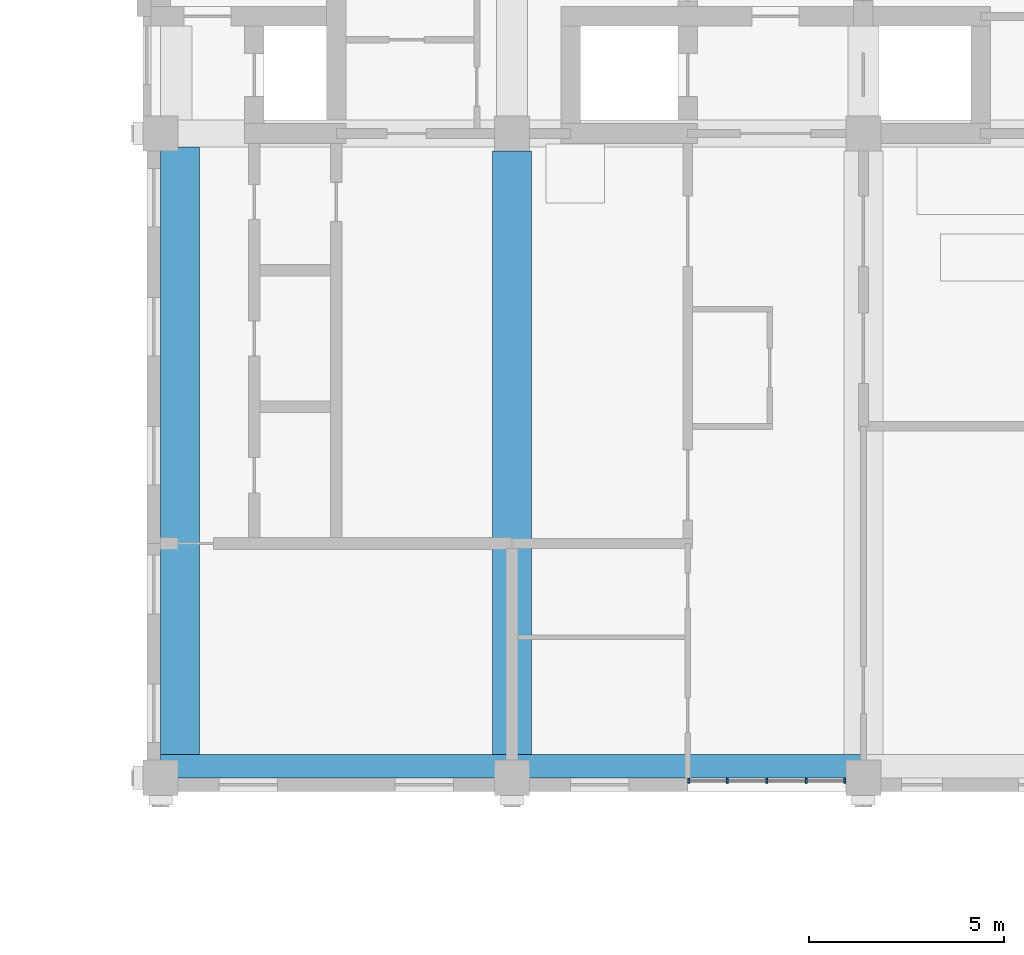
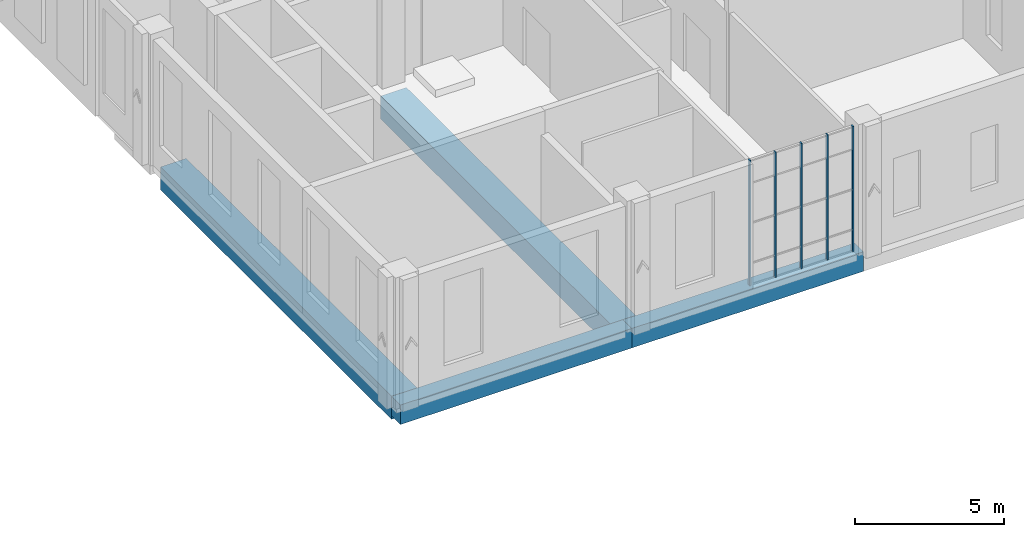
# One storey, part 4 of 39: 5 members, 4 beams, 1 element without a shape of its own.
"""IFC4 building model written with IfcOpenShell, lengths in metres."""

import ifcopenshell
import ifcopenshell.guid

model = None  # the IFC model being written
_history = None  # IfcOwnerHistory: only IFC2X3 demands one
_inside = {}  # id of a spatial element -> (the spatial element, [elements in it])
_under = {}  # id of a project, library or spatial element -> (it, [spatial elements below it])
_declared = {}  # id of a project -> (the project, [libraries it declares])
_typed = {}  # id of a type object -> (the type object, [elements of that type])
_made_of = {}  # id of a material, layer set ... -> (it, [elements and type objects made of it])


def new_model(schema):
    """Start an empty IFC model of exactly this schema.

    Asked for "IFC4X3", IfcOpenShell would pick the latest addendum, in which some entities
    have other attributes; the version numbers below select the first issue.
    IFC2X3 requires an IfcOwnerHistory on every rooted entity: one is made here for all.
    """
    global model, _history
    if schema == "IFC4X3":
        model = ifcopenshell.file(schema_version=(4, 3, 0, 0))
    else:
        model = ifcopenshell.file(schema=schema)
    _inside.clear()
    _under.clear()
    _declared.clear()
    _typed.clear()
    _made_of.clear()
    _history = None
    if model.schema == "IFC2X3":
        org = make("IfcOrganization", Name="unknown")
        user = make(
            "IfcPersonAndOrganization",
            ThePerson=make("IfcPerson", FamilyName="unknown"),
            TheOrganization=org,
        )
        app = make(
            "IfcApplication",
            ApplicationDeveloper=org,
            Version="unknown",
            ApplicationFullName="unknown",
            ApplicationIdentifier="unknown",
        )
        _history = make(
            "IfcOwnerHistory",
            OwningUser=user,
            OwningApplication=app,
            ChangeAction="ADDED",
            CreationDate=0,
        )
    return model


def make(cls, **values):
    """One entity of the class cls with the attributes given. An attribute that is None is left unset."""
    return model.create_entity(
        cls, **{name: value for name, value in values.items() if value is not None}
    )


def rooted(cls, **values):
    """An entity with a GlobalId (a new one), such as an element, a storey or a relation."""
    return make(cls, GlobalId=ifcopenshell.guid.new(), OwnerHistory=_history, **values)


def si_unit(unit_type, name, prefix=None):
    """IfcSIUnit, for example si_unit("LENGTHUNIT", "METRE", prefix="MILLI")."""
    return make("IfcSIUnit", UnitType=unit_type, Prefix=prefix, Name=name)


def assignment(units):
    """IfcUnitAssignment: the units of a project."""
    return None if units is None else make("IfcUnitAssignment", Units=units)


def point(xyz):
    """IfcCartesianPoint."""
    return None if xyz is None else make("IfcCartesianPoint", Coordinates=xyz)


def direction(xyz):
    """IfcDirection."""
    return None if xyz is None else make("IfcDirection", DirectionRatios=xyz)


def frame(location, z_axis=None, x_axis=None):
    """IfcAxis2Placement3D, a coordinate frame: its origin and axes. An axis left out is left unset."""
    return make(
        "IfcAxis2Placement3D",
        Location=point(location),
        Axis=direction(z_axis),
        RefDirection=direction(x_axis),
    )


def frame_2d(location, x_axis=None):
    """IfcAxis2Placement2D, a coordinate frame in the plane: its origin and x axis."""
    return make(
        "IfcAxis2Placement2D", Location=point(location), RefDirection=direction(x_axis)
    )


def origin():
    """The frame at (0, 0, 0) with its axes left unset."""
    return frame((0.0, 0.0, 0.0))


def origin_2d():
    """The frame at (0, 0) in the plane with its x axis left unset."""
    return frame_2d((0.0, 0.0))


def place(relative_to, where):
    """IfcLocalPlacement: puts the frame where relative to a parent placement (None: the world)."""
    return make(
        "IfcLocalPlacement", PlacementRelTo=relative_to, RelativePlacement=where
    )


def context(
    kind, dimensions, precision=None, world=None, true_north=None, identifier=None
):
    """IfcGeometricRepresentationContext, for example the 3D "Model" context."""
    return make(
        "IfcGeometricRepresentationContext",
        ContextIdentifier=identifier,
        ContextType=kind,
        CoordinateSpaceDimension=dimensions,
        Precision=precision,
        WorldCoordinateSystem=world,
        TrueNorth=true_north,
    )


def subcontext(parent, identifier, kind, view, scale=None):
    """IfcGeometricRepresentationSubContext, for example "Body" below "Model"."""
    return make(
        "IfcGeometricRepresentationSubContext",
        ContextIdentifier=identifier,
        ContextType=kind,
        ParentContext=parent,
        TargetScale=scale,
        TargetView=view,
    )


def project(units=None, contexts=None):
    """IfcProject with its units and contexts."""
    return rooted(
        "IfcProject",
        Name="project",
        RepresentationContexts=contexts,
        UnitsInContext=assignment(units),
    )


def spatial(cls, under=None, at=None, **own):
    """A site, building, storey or space (cls), placed at a placement, below another one or the project."""
    s = rooted(cls, ObjectPlacement=at, **own)
    if under is not None:
        _under.setdefault(under.id(), (under, []))[1].append(s)
    return s


def profile(cls, at=None, kind="AREA", **sizes):
    """A parametric profile (cls). Its sizes go by their IFC names, for example OverallWidth=200.0."""
    return make(cls, ProfileType=kind, Position=at, **sizes)


def rectangle(**sizes):
    """IfcRectangleProfileDef."""
    return profile("IfcRectangleProfileDef", **sizes)


def extrude(swept, where, along, depth):
    """IfcExtrudedAreaSolid: the profile swept, set in the frame where, extruded along a direction by depth."""
    return make(
        "IfcExtrudedAreaSolid",
        SweptArea=swept,
        Position=where,
        ExtrudedDirection=direction(along),
        Depth=depth,
    )


def shape(context_of_items, identifier, shape_type, items):
    """IfcShapeRepresentation: the items that make up one representation, for example the "Body"."""
    return make(
        "IfcShapeRepresentation",
        ContextOfItems=context_of_items,
        RepresentationIdentifier=identifier,
        RepresentationType=shape_type,
        Items=items,
    )


def material(Name=None, Category=None):
    """IfcMaterial."""
    return make("IfcMaterial", Name=Name, Category=Category)


def layer(
    of_material, thickness, ventilated=None, Name=None, Category=None, Priority=None
):
    """IfcMaterialLayer: one layer of a wall or slab, of a material (None: an air gap)."""
    return make(
        "IfcMaterialLayer",
        Material=of_material,
        LayerThickness=thickness,
        IsVentilated=ventilated,
        Name=Name,
        Category=Category,
        Priority=Priority,
    )


def layer_set(layers, Name=None):
    """IfcMaterialLayerSet."""
    return make("IfcMaterialLayerSet", MaterialLayers=layers, LayerSetName=Name)


def material_profile(
    of_material, cross_section, Name=None, Category=None, Priority=None
):
    """IfcMaterialProfile: a cross section and its material."""
    return make(
        "IfcMaterialProfile",
        Name=Name,
        Material=of_material,
        Profile=cross_section,
        Priority=Priority,
        Category=Category,
    )


def profile_set(profiles, Name=None, composite=None):
    """IfcMaterialProfileSet."""
    return make(
        "IfcMaterialProfileSet",
        Name=Name,
        MaterialProfiles=profiles,
        CompositeProfile=composite,
    )


def made_of(thing, what):
    """Note that an element or type object is made of a material, layer set ...; save() writes the relation."""
    if what is not None:
        _made_of.setdefault(what.id(), (what, []))[1].append(thing)
    return thing


def type_object(cls, material=None, **own):
    """A type object (cls), such as IfcWallType, which elements share."""
    return made_of(rooted(cls, **own), material)


def element(
    cls,
    number,
    at=None,
    inside=None,
    cuts=None,
    type_object=None,
    material=None,
    context=None,
    identifier="Body",
    shape_type=None,
    held_by="IfcProductDefinitionShape",
    body=None,
    shapes=None,
    **own,
):
    """One element of the class cls, such as IfcWall. Its Tag is "e" and its number.

    at: its placement. inside: the storey or other place that contains it. cuts: it is an
    opening in that element (IfcRelVoidsElement). A single representation is given by context,
    identifier, shape_type and body (its items); several are given by shapes. held_by: the class
    of the entity that holds the representations. save() writes the other relations.
    """
    e = rooted(cls, Tag="e%d" % number, ObjectPlacement=at, **own)
    if body is not None:
        shapes = [shape(context, identifier, shape_type, body)]
    if shapes is not None:
        e.Representation = make(held_by, Representations=shapes)
    if inside is not None:
        _inside.setdefault(inside.id(), (inside, []))[1].append(e)
    if cuts is not None:
        rooted(
            "IfcRelVoidsElement", RelatingBuildingElement=cuts, RelatedOpeningElement=e
        )
    if type_object is not None:
        _typed.setdefault(type_object.id(), (type_object, []))[1].append(e)
    return made_of(e, material)


def aggregate(whole, parts):
    """IfcRelAggregates: a whole, such as a stair, and the parts it consists of."""
    return rooted("IfcRelAggregates", RelatingObject=whole, RelatedObjects=parts)


def save(model, path):
    """Write the relations noted so far, then the file.

    IfcRelAggregates (storeys below a building ...), IfcRelContainedInSpatialStructure (elements
    in a storey), IfcRelDefinesByType, IfcRelAssociatesMaterial and IfcRelDeclares: one each for
    every whole, place, type object, material and project.
    """
    for whole, parts in _under.values():
        aggregate(whole, parts)
    for where, things in _inside.values():
        rooted(
            "IfcRelContainedInSpatialStructure",
            RelatedElements=things,
            RelatingStructure=where,
        )
    for kind, things in _typed.values():
        rooted("IfcRelDefinesByType", RelatedObjects=things, RelatingType=kind)
    for what, things in _made_of.values():
        rooted("IfcRelAssociatesMaterial", RelatedObjects=things, RelatingMaterial=what)
    for by, libraries in _declared.values():
        rooted("IfcRelDeclares", RelatingContext=by, RelatedDefinitions=libraries)
    model.write(path)


model = new_model("IFC4")

# Units and contexts
model_context = context("Model", 3, precision=1e-05, world=origin(), true_north=direction((0.0, 1.0)))
body_context = subcontext(model_context, "Body", "Model", "MODEL_VIEW")
ifc_project = project(units=[si_unit("LENGTHUNIT", "METRE"), si_unit("AREAUNIT", "SQUARE_METRE"), si_unit("VOLUMEUNIT", "CUBIC_METRE"), si_unit("PLANEANGLEUNIT", "RADIAN"), si_unit("MASSUNIT", "GRAM", prefix="KILO")], contexts=[model_context])

# Site, building, storey
site_placement = place(None, origin())
site = spatial("IfcSite", under=ifc_project, at=site_placement, CompositionType="ELEMENT")
building_placement = place(site_placement, origin())
building = spatial("IfcBuilding", under=site, at=building_placement, Name="Aurelan Courthouse", CompositionType="ELEMENT")
storey_placement = place(building_placement, frame((0.0, 0.0, 28.199951171875)))
storey = spatial("IfcBuildingStorey", under=building, at=storey_placement, Name="L05", CompositionType="ELEMENT", Elevation=28.199951171875)

# Curtain wall, members
ifc_material_1 = material(Name="Bronze-finished aluminium and glass", Category="aluminium")
ifc_layer = layer(ifc_material_1, 0.14990234375)
ifc_layer_set = layer_set([ifc_layer], Name="Bronze-finished aluminium and glass")
curtain_wall_type = type_object("IfcCurtainWallType", Name="Curtain wall 4050 x 5150", PredefinedType="NOTDEFINED", material=ifc_layer_set)
curtain_wall_placement = place(storey_placement, origin())
curtain_wall = element("IfcCurtainWall", 1, at=curtain_wall_placement, inside=storey, type_object=curtain_wall_type, Name="Curtain wall CW-V2-L05-S01", PredefinedType="NOTDEFINED")
ifc_material_2 = material(Name="Bronze-finished aluminium", Category="aluminium")
ifc_material_profile_1 = material_profile(ifc_material_2, rectangle(XDim=0.1201171875, YDim=0.050048828125, at=origin_2d()), Name="Bronze mullion 50 x 120")
ifc_profile_set_1 = profile_set([ifc_material_profile_1], Name="Bronze-finished aluminium")
member_type = type_object("IfcMemberType", Name="Curtain wall mullion 50 x 120", PredefinedType="MULLION", material=ifc_profile_set_1)
member_1_placement = place(storey_placement, frame((49.52490234375, 37.425048828125, 0.0), z_axis=(0.0, 0.0, 1.0), x_axis=(0.0, 1.0, 0.0)))
member_1 = element("IfcMember", 2, at=member_1_placement, type_object=member_type, Name="CW-V2-L05-S01 mullion 1", PredefinedType="MULLION", context=body_context, shape_type="SweptSolid", body=[
    extrude(rectangle(XDim=0.1201171875, YDim=0.050048828125, at=origin_2d()), origin(), (0.0, 0.0, 1.0), 5.150146484375),
])
member_2_placement = place(storey_placement, frame((50.512451171875, 37.425048828125, 0.0), z_axis=(0.0, 0.0, 1.0), x_axis=(0.0, 1.0, 0.0)))
member_2 = element("IfcMember", 3, at=member_2_placement, type_object=member_type, Name="CW-V2-L05-S01 mullion 2", PredefinedType="MULLION", context=body_context, shape_type="SweptSolid", body=[
    extrude(rectangle(XDim=0.1201171875, YDim=0.050048828125, at=origin_2d()), origin(), (0.0, 0.0, 1.0), 5.150146484375),
])
member_3_placement = place(storey_placement, frame((51.52490234375, 37.425048828125, 0.0), z_axis=(0.0, 0.0, 1.0), x_axis=(0.0, 1.0, 0.0)))
member_3 = element("IfcMember", 4, at=member_3_placement, type_object=member_type, Name="CW-V2-L05-S01 mullion 3", PredefinedType="MULLION", context=body_context, shape_type="SweptSolid", body=[
    extrude(rectangle(XDim=0.1201171875, YDim=0.050048828125, at=origin_2d()), origin(), (0.0, 0.0, 1.0), 5.150146484375),
])
member_4_placement = place(storey_placement, frame((52.53759765625, 37.425048828125, 0.0), z_axis=(0.0, 0.0, 1.0), x_axis=(0.0, 1.0, 0.0)))
member_4 = element("IfcMember", 5, at=member_4_placement, type_object=member_type, Name="CW-V2-L05-S01 mullion 4", PredefinedType="MULLION", context=body_context, shape_type="SweptSolid", body=[
    extrude(rectangle(XDim=0.1201171875, YDim=0.050048828125, at=origin_2d()), origin(), (0.0, 0.0, 1.0), 5.150146484375),
])
member_5_placement = place(storey_placement, frame((53.52490234375, 37.425048828125, 0.0), z_axis=(0.0, 0.0, 1.0), x_axis=(0.0, 1.0, 0.0)))
member_5 = element("IfcMember", 6, at=member_5_placement, type_object=member_type, Name="CW-V2-L05-S01 mullion 5", PredefinedType="MULLION", context=body_context, shape_type="SweptSolid", body=[
    extrude(rectangle(XDim=0.1201171875, YDim=0.050048828125, at=origin_2d()), origin(), (0.0, 0.0, 1.0), 5.150146484375),
])
aggregate(curtain_wall, [member_1, member_2, member_3, member_4, member_5])

# Beams
ifc_material_3 = material(Name="Concrete C50", Category="concrete")
ifc_material_profile_2 = material_profile(ifc_material_3, rectangle(XDim=1.0, YDim=0.949951171875, at=origin_2d()), Name="RC 1000 x 950")
ifc_profile_set_2 = profile_set([ifc_material_profile_2], Name="Concrete C50")
beam_type_1 = type_object("IfcBeamType", Name="PT girder 1000 x 950", PredefinedType="BEAM", material=ifc_profile_set_2)
beam_1_placement = place(storey_placement, frame((36.5, 38.10009765625, -0.724853515625), z_axis=(0.0, 1.0, 0.0), x_axis=(-1.0, 0.0, 0.0)))
element("IfcBeam", 7, at=beam_1_placement, inside=storey, type_object=beam_type_1, Name="Girder GB-5DE-E", PredefinedType="BEAM", context=body_context, shape_type="SweptSolid", body=[
    extrude(rectangle(XDim=1.0, YDim=0.949951171875, at=origin_2d()), origin(), (0.0, 0.0, 1.0), 15.5498046875),
])
beam_2_placement = place(storey_placement, frame((45.0, 38.10009765625, -0.724853515625), z_axis=(0.0, 1.0, 0.0), x_axis=(-1.0, 0.0, 0.0)))
element("IfcBeam", 8, at=beam_2_placement, inside=storey, type_object=beam_type_1, Name="Girder GB-6DE", PredefinedType="BEAM", context=body_context, shape_type="SweptSolid", body=[
    extrude(rectangle(XDim=1.0, YDim=0.949951171875, at=origin_2d()), origin(), (0.0, 0.0, 1.0), 15.449951171875),
])
ifc_material_profile_3 = material_profile(ifc_material_3, rectangle(XDim=0.60009765625, YDim=0.800048828125, at=origin_2d()), Name="RC 600 x 800")
ifc_profile_set_3 = profile_set([ifc_material_profile_3], Name="Concrete C50")
beam_type_2 = type_object("IfcBeamType", Name="RC spandrel beam 600 x 800", PredefinedType="SPANDREL", material=ifc_profile_set_3)
for number, where, z_axis, x_axis, name in (
    (9, (36.0, 37.800048828125, -0.64990234375), (1.0, 0.0, 0.0), (0.0, 1.0, 0.0), "Spandrel beam SB-D-5-6"),
    (10, (45.0, 37.800048828125, -0.64990234375), (1.0, 0.0, 0.0), (0.0, 1.0, 0.0), "Spandrel beam SB-D-6-7"),
):
    element("IfcBeam", number, at=place(storey_placement, frame(where, z_axis=z_axis, x_axis=x_axis)), inside=storey, type_object=beam_type_2, Name=name, PredefinedType="SPANDREL", context=body_context, shape_type="SweptSolid", body=[
        extrude(rectangle(XDim=0.60009765625, YDim=0.800048828125, at=origin_2d()), origin(), (0.0, 0.0, 1.0), 9.0),
    ])

save(model, "model.ifc")
